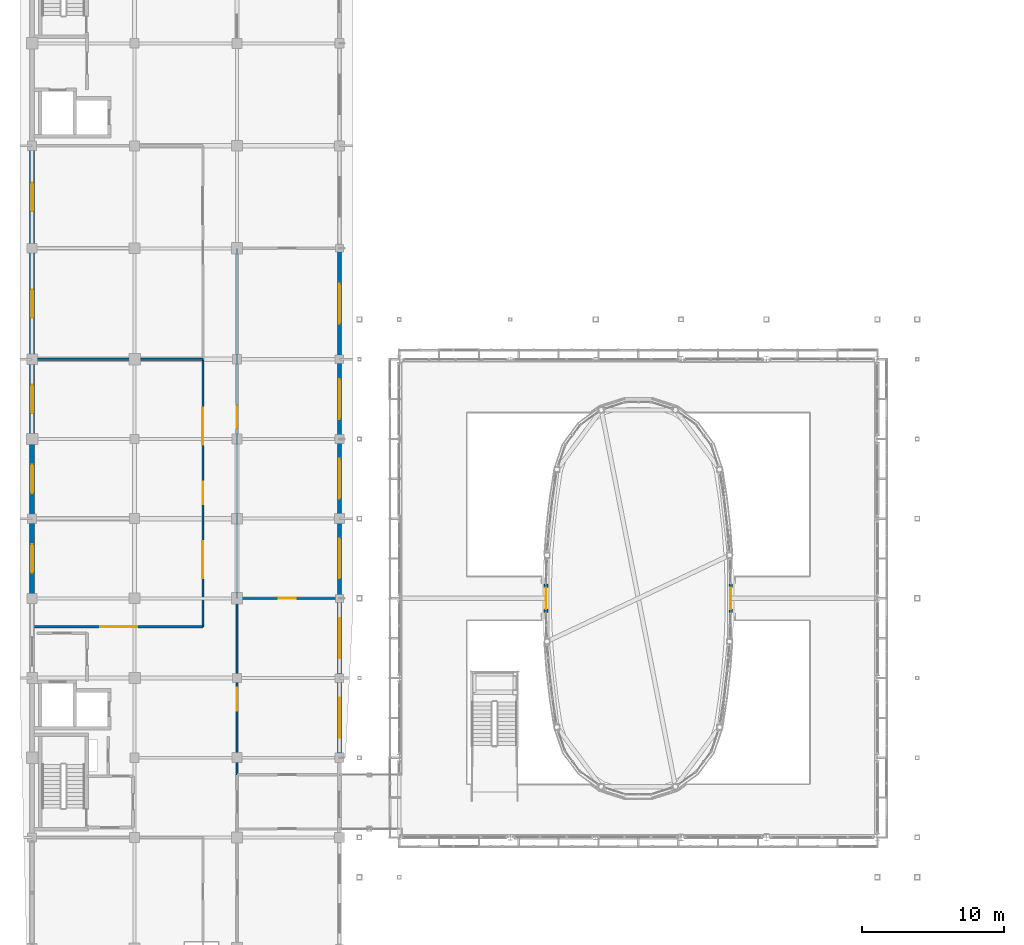
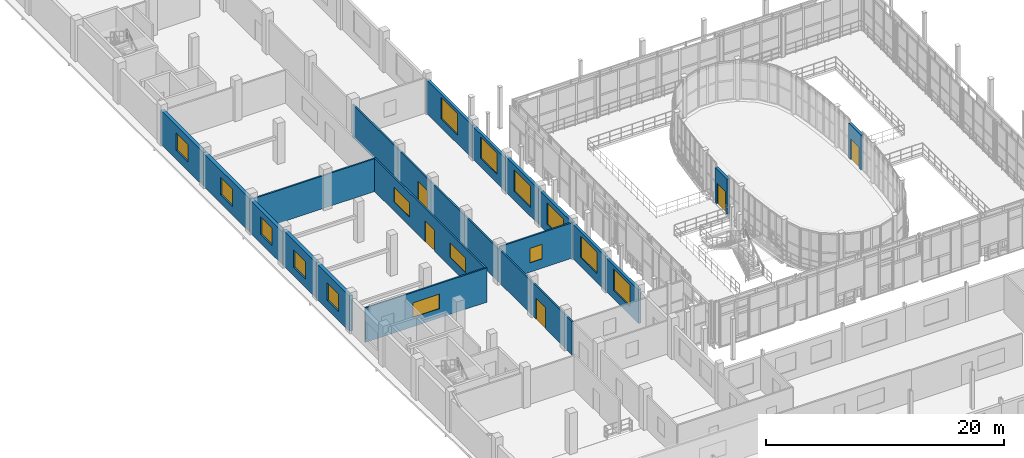
# One storey, part 95 of 121: 19 walls, 15 windows, 5 doors, 20 openings.
"""IFC4 building model written with IfcOpenShell, lengths in metres."""

from ifc_helpers import new_model, si_unit, direction, frame, frame_2d, origin, place, context, subcontext, project, spatial, rectangle, extrude, material, layer, layer_set, type_object, element, fill, save


model = new_model("IFC4")

# Units and contexts
model_context = context("Model", 3, precision=1e-05, world=origin(), true_north=direction((0.0, 1.0)))
body_context = subcontext(model_context, "Body", "Model", "MODEL_VIEW")
ifc_project = project(units=[si_unit("LENGTHUNIT", "METRE"), si_unit("AREAUNIT", "SQUARE_METRE"), si_unit("VOLUMEUNIT", "CUBIC_METRE"), si_unit("PLANEANGLEUNIT", "RADIAN"), si_unit("MASSUNIT", "GRAM", prefix="KILO")], contexts=[model_context])

# Site, building, storey
site_placement = place(None, origin())
site = spatial("IfcSite", under=ifc_project, at=site_placement, CompositionType="ELEMENT")
building_placement = place(site_placement, origin())
building = spatial("IfcBuilding", under=site, at=building_placement, Name="Vinh Khe Railworks Police Headquarters", CompositionType="ELEMENT")
storey_placement = place(building_placement, frame((0.0, 0.0, 4.800048828125)))
storey = spatial("IfcBuildingStorey", under=building, at=storey_placement, Name="L01", CompositionType="ELEMENT", Elevation=4.800048828125)

# Wall, opening, window
ifc_material_1 = material(Name="Clay brickwork", Category="masonry")
ifc_layer_1 = layer(ifc_material_1, 0.260009765625)
ifc_layer_set_1 = layer_set([ifc_layer_1], Name="Clay brickwork")
wall_type_1 = type_object("IfcWallType", Name="EW-BRK-260", PredefinedType="SOLIDWALL", material=ifc_layer_set_1)
wall_1_placement = place(storey_placement, frame((22.199951171875, 30.800048828125, 0.0), z_axis=(0.0, 0.0, 1.0), x_axis=(0.0, 1.0, 0.0)))
wall_1 = element("IfcWall", 1, at=wall_1_placement, inside=storey, type_object=wall_type_1, Name="Exterior Brick Wall EW-L01-V5E-03", PredefinedType="SOLIDWALL", context=body_context, shape_type="SweptSolid", body=[
    extrude(rectangle(XDim=5.599853515625, YDim=0.260009765625, at=frame_2d((2.7998046875, 0.0))), origin(), (0.0, 0.0, 1.0), 3.474853515625),
])
opening_1_placement = place(wall_1_placement, frame((1.39990234375, 0.0, 0.89990234375)))
opening_1 = element("IfcOpeningElement", 2, at=opening_1_placement, cuts=wall_1, Name="Opening WN-01", PredefinedType="OPENING", context=body_context, shape_type="SweptSolid", body=[
    extrude(rectangle(XDim=2.800048828125, YDim=2.199951171875, at=frame_2d((1.39990234375, 1.10009765625))), frame((0.0, 0.14501953125, 0.0), z_axis=(0.0, -1.0, 0.0), x_axis=(1.0, 0.0, 0.0)), (0.0, 0.0, 1.0), 0.289794921875),
])
ifc_material_2 = material(Name="Double-glazed solar-control glass in dark steel frame", Category="steel")
window_type_1 = type_object("IfcWindowType", Name="WIN-WN-01", PartitioningType="DOUBLE_PANEL_VERTICAL", PredefinedType="WINDOW", material=ifc_material_2)
window_1_placement = place(opening_1_placement, origin())
window_1 = element("IfcWindow", 3, at=window_1_placement, inside=storey, type_object=window_type_1, Name="Casement Window WN-01", OverallHeight=2.199951171875, OverallWidth=2.800048828125, PartitioningType="SINGLE_PANEL", PredefinedType="WINDOW", context=body_context, shape_type="SweptSolid", body=[
    extrude(rectangle(XDim=2.800048828125, YDim=2.199951171875, at=frame_2d((1.39990234375, 1.10009765625))), frame((0.0, 0.030029296875, 0.0), z_axis=(0.0, -1.0, 0.0), x_axis=(1.0, 0.0, 0.0)), (0.0, 0.0, 1.0), 0.06005859375),
])
fill(opening_1, window_1)

wall_2_placement = place(storey_placement, frame((22.199951171875, 36.39990234375, 0.0), z_axis=(0.0, 0.0, 1.0), x_axis=(0.0, 1.0, 0.0)))
wall_2 = element("IfcWall", 4, at=wall_2_placement, inside=storey, type_object=wall_type_1, Name="Exterior Brick Wall EW-L01-V5E-04", PredefinedType="SOLIDWALL", context=body_context, shape_type="SweptSolid", body=[
    extrude(rectangle(XDim=5.60009765625, YDim=0.260009765625, at=frame_2d((2.800048828125, 0.0))), origin(), (0.0, 0.0, 1.0), 3.52490234375),
])
opening_2_placement = place(wall_2_placement, frame((1.39990234375, 0.0, 0.89990234375)))
opening_2 = element("IfcOpeningElement", 5, at=opening_2_placement, cuts=wall_2, Name="Opening WN-01", PredefinedType="OPENING", context=body_context, shape_type="SweptSolid", body=[
    extrude(rectangle(XDim=2.800048828125, YDim=2.199951171875, at=frame_2d((1.39990234375, 1.10009765625))), frame((0.0, 0.14501953125, 0.0), z_axis=(0.0, -1.0, 0.0), x_axis=(1.0, 0.0, 0.0)), (0.0, 0.0, 1.0), 0.289794921875),
])
window_2_placement = place(opening_2_placement, origin())
window_2 = element("IfcWindow", 6, at=window_2_placement, inside=storey, type_object=window_type_1, Name="Casement Window WN-01", OverallHeight=2.199951171875, OverallWidth=2.800048828125, PartitioningType="SINGLE_PANEL", PredefinedType="WINDOW", context=body_context, shape_type="SweptSolid", body=[
    extrude(rectangle(XDim=2.800048828125, YDim=2.199951171875, at=frame_2d((1.39990234375, 1.10009765625))), frame((0.0, 0.030029296875, 0.0), z_axis=(0.0, -1.0, 0.0), x_axis=(1.0, 0.0, 0.0)), (0.0, 0.0, 1.0), 0.06005859375),
])
fill(opening_2, window_2)

wall_3_placement = place(storey_placement, frame((22.199951171875, 42.0, 0.0), z_axis=(0.0, 0.0, 1.0), x_axis=(0.0, 1.0, 0.0)))
wall_3 = element("IfcWall", 7, at=wall_3_placement, inside=storey, type_object=wall_type_1, Name="Exterior Brick Wall EW-L01-V5E-05", PredefinedType="SOLIDWALL", context=body_context, shape_type="SweptSolid", body=[
    extrude(rectangle(XDim=5.60009765625, YDim=0.260009765625, at=frame_2d((2.800048828125, 0.0))), origin(), (0.0, 0.0, 1.0), 3.625),
])
opening_3_placement = place(wall_3_placement, frame((1.39990234375, 0.0, 0.89990234375)))
opening_3 = element("IfcOpeningElement", 8, at=opening_3_placement, cuts=wall_3, Name="Opening WN-01", PredefinedType="OPENING", context=body_context, shape_type="SweptSolid", body=[
    extrude(rectangle(XDim=2.800048828125, YDim=2.199951171875, at=frame_2d((1.39990234375, 1.10009765625))), frame((0.0, 0.14501953125, 0.0), z_axis=(0.0, -1.0, 0.0), x_axis=(1.0, 0.0, 0.0)), (0.0, 0.0, 1.0), 0.289794921875),
])
window_3_placement = place(opening_3_placement, origin())
window_3 = element("IfcWindow", 9, at=window_3_placement, inside=storey, type_object=window_type_1, Name="Casement Window WN-01", OverallHeight=2.199951171875, OverallWidth=2.800048828125, PartitioningType="SINGLE_PANEL", PredefinedType="WINDOW", context=body_context, shape_type="SweptSolid", body=[
    extrude(rectangle(XDim=2.800048828125, YDim=2.199951171875, at=frame_2d((1.39990234375, 1.10009765625))), frame((0.0, 0.030029296875, 0.0), z_axis=(0.0, -1.0, 0.0), x_axis=(1.0, 0.0, 0.0)), (0.0, 0.0, 1.0), 0.06005859375),
])
fill(opening_3, window_3)

wall_4_placement = place(storey_placement, frame((22.199951171875, 47.60009765625, 0.0), z_axis=(0.0, 0.0, 1.0), x_axis=(0.0, 1.0, 0.0)))
wall_4 = element("IfcWall", 10, at=wall_4_placement, inside=storey, type_object=wall_type_1, Name="Exterior Brick Wall EW-L01-V5E-06", PredefinedType="SOLIDWALL", context=body_context, shape_type="SweptSolid", body=[
    extrude(rectangle(XDim=5.599853515625, YDim=0.260009765625, at=frame_2d((2.7998046875, 0.0))), origin(), (0.0, 0.0, 1.0), 3.64501953125),
])
opening_4_placement = place(wall_4_placement, frame((1.39990234375, 0.0, 0.89990234375)))
opening_4 = element("IfcOpeningElement", 11, at=opening_4_placement, cuts=wall_4, Name="Opening WN-01", PredefinedType="OPENING", context=body_context, shape_type="SweptSolid", body=[
    extrude(rectangle(XDim=2.800048828125, YDim=2.199951171875, at=frame_2d((1.39990234375, 1.10009765625))), frame((0.0, 0.14501953125, 0.0), z_axis=(0.0, -1.0, 0.0), x_axis=(1.0, 0.0, 0.0)), (0.0, 0.0, 1.0), 0.289794921875),
])
window_4_placement = place(opening_4_placement, origin())
window_4 = element("IfcWindow", 12, at=window_4_placement, inside=storey, type_object=window_type_1, Name="Casement Window WN-01", OverallHeight=2.199951171875, OverallWidth=2.800048828125, PartitioningType="SINGLE_PANEL", PredefinedType="WINDOW", context=body_context, shape_type="SweptSolid", body=[
    extrude(rectangle(XDim=2.800048828125, YDim=2.199951171875, at=frame_2d((1.39990234375, 1.10009765625))), frame((0.0, 0.030029296875, 0.0), z_axis=(0.0, -1.0, 0.0), x_axis=(1.0, 0.0, 0.0)), (0.0, 0.0, 1.0), 0.06005859375),
])
fill(opening_4, window_4)

wall_5_placement = place(storey_placement, frame((22.199951171875, 53.199951171875, 0.0), z_axis=(0.0, 0.0, 1.0), x_axis=(0.0, 1.0, 0.0)))
wall_5 = element("IfcWall", 13, at=wall_5_placement, inside=storey, type_object=wall_type_1, Name="Exterior Brick Wall EW-L01-V5E-07", PredefinedType="SOLIDWALL", context=body_context, shape_type="SweptSolid", body=[
    extrude(rectangle(XDim=5.60009765625, YDim=0.260009765625, at=frame_2d((2.800048828125, 0.0))), origin(), (0.0, 0.0, 1.0), 3.375),
])
opening_5_placement = place(wall_5_placement, frame((1.39990234375, 0.0, 0.89990234375)))
opening_5 = element("IfcOpeningElement", 14, at=opening_5_placement, cuts=wall_5, Name="Opening WN-01", PredefinedType="OPENING", context=body_context, shape_type="SweptSolid", body=[
    extrude(rectangle(XDim=2.800048828125, YDim=2.199951171875, at=frame_2d((1.39990234375, 1.10009765625))), frame((0.0, 0.14501953125, 0.0), z_axis=(0.0, -1.0, 0.0), x_axis=(1.0, 0.0, 0.0)), (0.0, 0.0, 1.0), 0.289794921875),
])
window_5_placement = place(opening_5_placement, origin())
window_5 = element("IfcWindow", 15, at=window_5_placement, inside=storey, type_object=window_type_1, Name="Casement Window WN-01", OverallHeight=2.199951171875, OverallWidth=2.800048828125, PartitioningType="SINGLE_PANEL", PredefinedType="WINDOW", context=body_context, shape_type="SweptSolid", body=[
    extrude(rectangle(XDim=2.800048828125, YDim=2.199951171875, at=frame_2d((1.39990234375, 1.10009765625))), frame((0.0, 0.030029296875, 0.0), z_axis=(0.0, -1.0, 0.0), x_axis=(1.0, 0.0, 0.0)), (0.0, 0.0, 1.0), 0.06005859375),
])
fill(opening_5, window_5)

wall_6_placement = place(storey_placement, frame((22.199951171875, 58.800048828125, 0.0), z_axis=(0.0, 0.0, 1.0), x_axis=(0.0, 1.0, 0.0)))
wall_6 = element("IfcWall", 16, at=wall_6_placement, inside=storey, type_object=wall_type_1, Name="Exterior Brick Wall EW-L01-V5E-08", PredefinedType="SOLIDWALL", context=body_context, shape_type="SweptSolid", body=[
    extrude(rectangle(XDim=7.800048828125, YDim=0.260009765625, at=frame_2d((3.89990234375, 0.0))), origin(), (0.0, 0.0, 1.0), 3.425048828125),
])
opening_6_placement = place(wall_6_placement, frame((2.5, 0.0, 0.89990234375)))
opening_6 = element("IfcOpeningElement", 17, at=opening_6_placement, cuts=wall_6, Name="Opening WN-01", PredefinedType="OPENING", context=body_context, shape_type="SweptSolid", body=[
    extrude(rectangle(XDim=2.800048828125, YDim=2.199951171875, at=frame_2d((1.39990234375, 1.10009765625))), frame((0.0, 0.14501953125, 0.0), z_axis=(0.0, -1.0, 0.0), x_axis=(1.0, 0.0, 0.0)), (0.0, 0.0, 1.0), 0.289794921875),
])
window_6_placement = place(opening_6_placement, origin())
window_6 = element("IfcWindow", 18, at=window_6_placement, inside=storey, type_object=window_type_1, Name="Casement Window WN-01", OverallHeight=2.199951171875, OverallWidth=2.800048828125, PartitioningType="SINGLE_PANEL", PredefinedType="WINDOW", context=body_context, shape_type="SweptSolid", body=[
    extrude(rectangle(XDim=2.800048828125, YDim=2.199951171875, at=frame_2d((1.39990234375, 1.10009765625))), frame((0.0, 0.030029296875, 0.0), z_axis=(0.0, -1.0, 0.0), x_axis=(1.0, 0.0, 0.0)), (0.0, 0.0, 1.0), 0.06005859375),
])
fill(opening_6, window_6)

# Wall, opening, door
wall_7_placement = place(storey_placement, frame((49.690185546875, 40.98876953125, 0.0), z_axis=(0.0, 0.0, 1.0), x_axis=(0.0, 1.0, 0.0)))
wall_7 = element("IfcWall", 19, at=wall_7_placement, inside=storey, type_object=wall_type_1, Name="Command Drum Portal Wall L01 C04", PredefinedType="SOLIDWALL", context=body_context, shape_type="SweptSolid", body=[
    extrude(rectangle(XDim=2.0224609375, YDim=0.260009765625, at=frame_2d((1.01123046875, 0.0))), origin(), (0.0, 0.0, 1.0), 3.5849609375),
])
opening_7_placement = place(wall_7_placement, frame((0.26123046875, 0.0, 0.0)))
opening_7 = element("IfcOpeningElement", 20, at=opening_7_placement, cuts=wall_7, Name="Opening FD-02", PredefinedType="OPENING", context=body_context, shape_type="SweptSolid", body=[
    extrude(rectangle(XDim=1.5, YDim=2.14990234375, at=frame_2d((0.75, 1.074951171875))), frame((0.0, 0.14501953125, 0.0), z_axis=(0.0, -1.0, 0.0), x_axis=(1.0, 0.0, 0.0)), (0.0, 0.0, 1.0), 0.289794921875),
])
ifc_material_3 = material(Name="Painted galvanised steel", Category="steel")
door_type_1 = type_object("IfcDoorType", Name="FD-1500x2150", OperationType="DOUBLE_DOOR_SINGLE_SWING", PredefinedType="DOOR", material=ifc_material_3)
door_1_placement = place(opening_7_placement, origin())
door_1 = element("IfcDoor", 21, at=door_1_placement, inside=storey, type_object=door_type_1, Name="Command Drum Acoustic Portal Door L01 C04", OperationType="DOUBLE_DOOR_SINGLE_SWING", OverallHeight=2.14990234375, OverallWidth=1.5, PredefinedType="DOOR", context=body_context, shape_type="SweptSolid", body=[
    extrude(rectangle(XDim=1.5, YDim=2.14990234375, at=frame_2d((0.75, 1.074951171875))), frame((0.0, 0.02490234375, 0.0), z_axis=(0.0, -1.0, 0.0), x_axis=(1.0, 0.0, 0.0)), (0.0, 0.0, 1.0), 0.050048828125),
])
fill(opening_7, door_1)

wall_8_placement = place(storey_placement, frame((36.709716796875, 43.01123046875, 0.0), z_axis=(0.0, 0.0, 1.0), x_axis=(0.0, -1.0, 0.0)))
wall_8 = element("IfcWall", 22, at=wall_8_placement, inside=storey, type_object=wall_type_1, Name="Command Drum Portal Wall L01 C22", PredefinedType="SOLIDWALL", context=body_context, shape_type="SweptSolid", body=[
    extrude(rectangle(XDim=2.0224609375, YDim=0.260009765625, at=frame_2d((1.01123046875, 0.0))), origin(), (0.0, 0.0, 1.0), 3.5849609375),
])
opening_8_placement = place(wall_8_placement, frame((0.26123046875, 0.0, 0.0)))
opening_8 = element("IfcOpeningElement", 23, at=opening_8_placement, cuts=wall_8, Name="Opening FD-02", PredefinedType="OPENING", context=body_context, shape_type="SweptSolid", body=[
    extrude(rectangle(XDim=1.5, YDim=2.14990234375, at=frame_2d((0.75, 1.074951171875))), frame((0.0, 0.14501953125, 0.0), z_axis=(0.0, -1.0, 0.0), x_axis=(1.0, 0.0, 0.0)), (0.0, 0.0, 1.0), 0.289794921875),
])
door_2_placement = place(opening_8_placement, origin())
door_2 = element("IfcDoor", 24, at=door_2_placement, inside=storey, type_object=door_type_1, Name="Command Drum Acoustic Portal Door L01 C22", OperationType="DOUBLE_DOOR_SINGLE_SWING", OverallHeight=2.14990234375, OverallWidth=1.5, PredefinedType="DOOR", context=body_context, shape_type="SweptSolid", body=[
    extrude(rectangle(XDim=1.5, YDim=2.14990234375, at=frame_2d((0.75, 1.074951171875))), frame((0.0, 0.02490234375, 0.0), z_axis=(0.0, -1.0, 0.0), x_axis=(1.0, 0.0, 0.0)), (0.0, 0.0, 1.0), 0.050048828125),
])
fill(opening_8, door_2)

# Wall, opening, window
ifc_layer_2 = layer(ifc_material_1, 0.340087890625)
ifc_layer_set_2 = layer_set([ifc_layer_2], Name="Clay brickwork")
wall_type_2 = type_object("IfcWallType", Name="EW-BRK-340", PredefinedType="SOLIDWALL", material=ifc_layer_set_2)
wall_9_placement = place(storey_placement, frame((0.60009765625, 42.0, 0.0), z_axis=(0.0, 0.0, 1.0), x_axis=(0.0, 1.0, 0.0)))
wall_9 = element("IfcWall", 25, at=wall_9_placement, inside=storey, type_object=wall_type_2, Name="Exterior Brick Wall EW-L01-V5W-05", PredefinedType="SOLIDWALL", context=body_context, shape_type="SweptSolid", body=[
    extrude(rectangle(XDim=5.60009765625, YDim=0.340087890625, at=frame_2d((2.800048828125, 0.0))), origin(), (0.0, 0.0, 1.0), 3.625),
])
opening_9_placement = place(wall_9_placement, frame((1.800048828125, 0.0, 0.89990234375)))
opening_9 = element("IfcOpeningElement", 26, at=opening_9_placement, cuts=wall_9, Name="Opening WN-04", PredefinedType="OPENING", context=body_context, shape_type="SweptSolid", body=[
    extrude(rectangle(XDim=2.0, YDim=1.800048828125, at=frame_2d((1.0, 0.89990234375))), frame((0.0, 0.18505859375, 0.0), z_axis=(0.0, -1.0, 0.0), x_axis=(1.0, 0.0, 0.0)), (0.0, 0.0, 1.0), 0.369873046875),
])
window_type_2 = type_object("IfcWindowType", Name="WIN-WN-04", PartitioningType="DOUBLE_PANEL_VERTICAL", PredefinedType="WINDOW", material=ifc_material_2)
window_7_placement = place(opening_9_placement, origin())
window_7 = element("IfcWindow", 27, at=window_7_placement, inside=storey, type_object=window_type_2, Name="Casement Window WN-04", OverallHeight=1.800048828125, OverallWidth=2.0, PartitioningType="SINGLE_PANEL", PredefinedType="WINDOW", context=body_context, shape_type="SweptSolid", body=[
    extrude(rectangle(XDim=2.0, YDim=1.800048828125, at=frame_2d((1.0, 0.89990234375))), frame((0.0, 0.030029296875, 0.0), z_axis=(0.0, -1.0, 0.0), x_axis=(1.0, 0.0, 0.0)), (0.0, 0.0, 1.0), 0.06005859375),
])
fill(opening_9, window_7)

wall_10_placement = place(storey_placement, frame((0.60009765625, 47.60009765625, 0.0), z_axis=(0.0, 0.0, 1.0), x_axis=(0.0, 1.0, 0.0)))
wall_10 = element("IfcWall", 28, at=wall_10_placement, inside=storey, type_object=wall_type_2, Name="Exterior Brick Wall EW-L01-V5W-06", PredefinedType="SOLIDWALL", context=body_context, shape_type="SweptSolid", body=[
    extrude(rectangle(XDim=5.599853515625, YDim=0.340087890625, at=frame_2d((2.7998046875, 0.0))), origin(), (0.0, 0.0, 1.0), 3.64501953125),
])
opening_10_placement = place(wall_10_placement, frame((1.800048828125, 0.0, 0.89990234375)))
opening_10 = element("IfcOpeningElement", 29, at=opening_10_placement, cuts=wall_10, Name="Opening WN-04", PredefinedType="OPENING", context=body_context, shape_type="SweptSolid", body=[
    extrude(rectangle(XDim=2.0, YDim=1.800048828125, at=frame_2d((1.0, 0.89990234375))), frame((0.0, 0.18505859375, 0.0), z_axis=(0.0, -1.0, 0.0), x_axis=(1.0, 0.0, 0.0)), (0.0, 0.0, 1.0), 0.369873046875),
])
window_8_placement = place(opening_10_placement, origin())
window_8 = element("IfcWindow", 30, at=window_8_placement, inside=storey, type_object=window_type_2, Name="Casement Window WN-04", OverallHeight=1.800048828125, OverallWidth=2.0, PartitioningType="SINGLE_PANEL", PredefinedType="WINDOW", context=body_context, shape_type="SweptSolid", body=[
    extrude(rectangle(XDim=2.0, YDim=1.800048828125, at=frame_2d((1.0, 0.89990234375))), frame((0.0, 0.030029296875, 0.0), z_axis=(0.0, -1.0, 0.0), x_axis=(1.0, 0.0, 0.0)), (0.0, 0.0, 1.0), 0.06005859375),
])
fill(opening_10, window_8)

wall_11_placement = place(storey_placement, frame((0.60009765625, 53.199951171875, 0.0), z_axis=(0.0, 0.0, 1.0), x_axis=(0.0, 1.0, 0.0)))
wall_11 = element("IfcWall", 31, at=wall_11_placement, inside=storey, type_object=wall_type_2, Name="Exterior Brick Wall EW-L01-V5W-07", PredefinedType="SOLIDWALL", context=body_context, shape_type="SweptSolid", body=[
    extrude(rectangle(XDim=5.60009765625, YDim=0.340087890625, at=frame_2d((2.800048828125, 0.0))), origin(), (0.0, 0.0, 1.0), 3.375),
])
opening_11_placement = place(wall_11_placement, frame((1.800048828125, 0.0, 0.89990234375)))
opening_11 = element("IfcOpeningElement", 32, at=opening_11_placement, cuts=wall_11, Name="Opening WN-04", PredefinedType="OPENING", context=body_context, shape_type="SweptSolid", body=[
    extrude(rectangle(XDim=2.0, YDim=1.800048828125, at=frame_2d((1.0, 0.89990234375))), frame((0.0, 0.18505859375, 0.0), z_axis=(0.0, -1.0, 0.0), x_axis=(1.0, 0.0, 0.0)), (0.0, 0.0, 1.0), 0.369873046875),
])
window_9_placement = place(opening_11_placement, origin())
window_9 = element("IfcWindow", 33, at=window_9_placement, inside=storey, type_object=window_type_2, Name="Casement Window WN-04", OverallHeight=1.800048828125, OverallWidth=2.0, PartitioningType="SINGLE_PANEL", PredefinedType="WINDOW", context=body_context, shape_type="SweptSolid", body=[
    extrude(rectangle(XDim=2.0, YDim=1.800048828125, at=frame_2d((1.0, 0.89990234375))), frame((0.0, 0.030029296875, 0.0), z_axis=(0.0, -1.0, 0.0), x_axis=(1.0, 0.0, 0.0)), (0.0, 0.0, 1.0), 0.06005859375),
])
fill(opening_11, window_9)

wall_12_placement = place(storey_placement, frame((0.60009765625, 58.800048828125, 0.0), z_axis=(0.0, 0.0, 1.0), x_axis=(0.0, 1.0, 0.0)))
wall_12 = element("IfcWall", 34, at=wall_12_placement, inside=storey, type_object=wall_type_2, Name="Exterior Brick Wall EW-L01-V5W-08", PredefinedType="SOLIDWALL", context=body_context, shape_type="SweptSolid", body=[
    extrude(rectangle(XDim=7.800048828125, YDim=0.340087890625, at=frame_2d((3.89990234375, 0.0))), origin(), (0.0, 0.0, 1.0), 3.425048828125),
])
opening_12_placement = place(wall_12_placement, frame((2.89990234375, 0.0, 0.89990234375)))
opening_12 = element("IfcOpeningElement", 35, at=opening_12_placement, cuts=wall_12, Name="Opening WN-04", PredefinedType="OPENING", context=body_context, shape_type="SweptSolid", body=[
    extrude(rectangle(XDim=2.0, YDim=1.800048828125, at=frame_2d((1.0, 0.89990234375))), frame((0.0, 0.18505859375, 0.0), z_axis=(0.0, -1.0, 0.0), x_axis=(1.0, 0.0, 0.0)), (0.0, 0.0, 1.0), 0.369873046875),
])
window_10_placement = place(opening_12_placement, origin())
window_10 = element("IfcWindow", 36, at=window_10_placement, inside=storey, type_object=window_type_2, Name="Casement Window WN-04", OverallHeight=1.800048828125, OverallWidth=2.0, PartitioningType="SINGLE_PANEL", PredefinedType="WINDOW", context=body_context, shape_type="SweptSolid", body=[
    extrude(rectangle(XDim=2.0, YDim=1.800048828125, at=frame_2d((1.0, 0.89990234375))), frame((0.0, 0.030029296875, 0.0), z_axis=(0.0, -1.0, 0.0), x_axis=(1.0, 0.0, 0.0)), (0.0, 0.0, 1.0), 0.06005859375),
])
fill(opening_12, window_10)

wall_13_placement = place(storey_placement, frame((0.60009765625, 66.60009765625, 0.0), z_axis=(0.0, 0.0, 1.0), x_axis=(0.0, 1.0, 0.0)))
wall_13 = element("IfcWall", 37, at=wall_13_placement, inside=storey, type_object=wall_type_2, Name="Exterior Brick Wall EW-L01-V5W-09", PredefinedType="SOLIDWALL", context=body_context, shape_type="SweptSolid", body=[
    extrude(rectangle(XDim=7.199951171875, YDim=0.340087890625, at=frame_2d((3.60009765625, 0.0))), origin(), (0.0, 0.0, 1.0), 3.474853515625),
])
opening_13_placement = place(wall_13_placement, frame((2.60009765625, 0.0, 0.89990234375)))
opening_13 = element("IfcOpeningElement", 38, at=opening_13_placement, cuts=wall_13, Name="Opening WN-04", PredefinedType="OPENING", context=body_context, shape_type="SweptSolid", body=[
    extrude(rectangle(XDim=2.0, YDim=1.800048828125, at=frame_2d((1.0, 0.89990234375))), frame((0.0, 0.18505859375, 0.0), z_axis=(0.0, -1.0, 0.0), x_axis=(1.0, 0.0, 0.0)), (0.0, 0.0, 1.0), 0.369873046875),
])
window_11_placement = place(opening_13_placement, origin())
window_11 = element("IfcWindow", 39, at=window_11_placement, inside=storey, type_object=window_type_2, Name="Casement Window WN-04", OverallHeight=1.800048828125, OverallWidth=2.0, PartitioningType="SINGLE_PANEL", PredefinedType="WINDOW", context=body_context, shape_type="SweptSolid", body=[
    extrude(rectangle(XDim=2.0, YDim=1.800048828125, at=frame_2d((1.0, 0.89990234375))), frame((0.0, 0.030029296875, 0.0), z_axis=(0.0, -1.0, 0.0), x_axis=(1.0, 0.0, 0.0)), (0.0, 0.0, 1.0), 0.06005859375),
])
fill(opening_13, window_11)

ifc_material_4 = material(Name="Gypsum plasterboard on steel stud", Category="steel")
ifc_layer_3 = layer(ifc_material_4, 0.1201171875)
ifc_layer_set_3 = layer_set([ifc_layer_3], Name="Gypsum plasterboard on steel stud")
wall_type_3 = type_object("IfcWallType", Name="IW-PART-120", PredefinedType="PARTITIONING", material=ifc_layer_set_3)
wall_14_placement = place(storey_placement, frame((0.780029296875, 40.0, 0.0), z_axis=(0.0, 0.0, 1.0), x_axis=(1.0, 0.0, 0.0)))
wall_14 = element("IfcWall", 40, at=wall_14_placement, inside=storey, type_object=wall_type_3, Name="Interior Partition W-L01-V5-CID1-DIV", PredefinedType="PARTITIONING", context=body_context, shape_type="SweptSolid", body=[
    extrude(rectangle(XDim=11.820068359375, YDim=0.14990234375, at=frame_2d((5.91015625, 0.0))), origin(), (0.0, 0.0, 1.0), 3.52490234375),
])
opening_14_placement = place(wall_14_placement, frame((4.610107421875, 0.0, 0.949951171875)))
opening_14 = element("IfcOpeningElement", 41, at=opening_14_placement, cuts=wall_14, Name="Opening WN-07", PredefinedType="OPENING", context=body_context, shape_type="SweptSolid", body=[
    extrude(rectangle(XDim=2.60009765625, YDim=1.5, at=frame_2d((1.300048828125, 0.75))), frame((0.0, 0.08984375, 0.0), z_axis=(0.0, -1.0, 0.0), x_axis=(1.0, 0.0, 0.0)), (0.0, 0.0, 1.0), 0.1796875),
])
window_type_3 = type_object("IfcWindowType", Name="WIN-WN-07", PartitioningType="DOUBLE_PANEL_HORIZONTAL", PredefinedType="WINDOW", material=ifc_material_2)
window_12_placement = place(opening_14_placement, origin())
window_12 = element("IfcWindow", 42, at=window_12_placement, inside=storey, type_object=window_type_3, Name="Interior Acoustic Vision Window WN-07", OverallHeight=1.5, OverallWidth=2.60009765625, PartitioningType="SINGLE_PANEL", PredefinedType="WINDOW", context=body_context, shape_type="SweptSolid", body=[
    extrude(rectangle(XDim=2.60009765625, YDim=1.5, at=frame_2d((1.300048828125, 0.75))), frame((0.0, 0.030029296875, 0.0), z_axis=(0.0, -1.0, 0.0), x_axis=(1.0, 0.0, 0.0)), (0.0, 0.0, 1.0), 0.06005859375),
])
fill(opening_14, window_12)

# Wall
wall_15_placement = place(storey_placement, frame((0.780029296875, 58.800048828125, 0.0), z_axis=(0.0, 0.0, 1.0), x_axis=(1.0, 0.0, 0.0)))
element("IfcWall", 43, at=wall_15_placement, inside=storey, type_object=wall_type_3, Name="Interior Partition W-L01-V5-CID2-DIV", PredefinedType="PARTITIONING", context=body_context, shape_type="SweptSolid", body=[
    extrude(rectangle(XDim=11.820068359375, YDim=0.14990234375, at=frame_2d((5.91015625, 0.0))), origin(), (0.0, 0.0, 1.0), 3.375),
])

# Wall, opening, window
wall_16_placement = place(storey_placement, frame((15.0, 42.0, 0.0), z_axis=(0.0, 0.0, 1.0), x_axis=(1.0, 0.0, 0.0)))
wall_16 = element("IfcWall", 44, at=wall_16_placement, inside=storey, type_object=wall_type_3, Name="Interior Partition W-L01-V5-DET2-DIV", PredefinedType="PARTITIONING", context=body_context, shape_type="SweptSolid", body=[
    extrude(rectangle(XDim=7.06005859375, YDim=0.14990234375, at=frame_2d((3.530029296875, 0.0))), origin(), (0.0, 0.0, 1.0), 3.64501953125),
])
opening_15_placement = place(wall_16_placement, frame((2.929931640625, 0.0, 0.949951171875)))
opening_15 = element("IfcOpeningElement", 45, at=opening_15_placement, cuts=wall_16, Name="Opening WN-10", PredefinedType="OPENING", context=body_context, shape_type="SweptSolid", body=[
    extrude(rectangle(XDim=1.199951171875, YDim=1.5, at=frame_2d((0.60009765625, 0.75))), frame((0.0, 0.08984375, 0.0), z_axis=(0.0, -1.0, 0.0), x_axis=(1.0, 0.0, 0.0)), (0.0, 0.0, 1.0), 0.1796875),
])
window_type_4 = type_object("IfcWindowType", Name="WIN-WN-10", PartitioningType="SINGLE_PANEL", PredefinedType="WINDOW", material=ifc_material_2)
window_13_placement = place(opening_15_placement, origin())
window_13 = element("IfcWindow", 46, at=window_13_placement, inside=storey, type_object=window_type_4, Name="Interior Acoustic Vision Window WN-10", OverallHeight=1.5, OverallWidth=1.199951171875, PartitioningType="SINGLE_PANEL", PredefinedType="WINDOW", context=body_context, shape_type="SweptSolid", body=[
    extrude(rectangle(XDim=1.199951171875, YDim=1.5, at=frame_2d((0.60009765625, 0.75))), frame((0.0, 0.030029296875, 0.0), z_axis=(0.0, -1.0, 0.0), x_axis=(1.0, 0.0, 0.0)), (0.0, 0.0, 1.0), 0.06005859375),
])
fill(opening_15, window_13)

# Wall, openings, door, windows
ifc_material_5 = material(Name="Gypsum plasterboard on acoustic steel stud", Category="steel")
ifc_layer_4 = layer(ifc_material_5, 0.14990234375)
ifc_layer_set_4 = layer_set([ifc_layer_4], Name="Gypsum plasterboard on acoustic steel stud")
wall_type_4 = type_object("IfcWallType", Name="IW-PART-150", PredefinedType="PARTITIONING", material=ifc_layer_set_4)
wall_17_placement = place(storey_placement, frame((12.60009765625, 40.0, 0.0), z_axis=(0.0, 0.0, 1.0), x_axis=(0.0, 1.0, 0.0)))
wall_17 = element("IfcWall", 47, at=wall_17_placement, inside=storey, type_object=wall_type_4, Name="Interior Partition W-L01-V5-CID1-CW", PredefinedType="PARTITIONING", context=body_context, shape_type="SweptSolid", body=[
    extrude(rectangle(XDim=18.800048828125, YDim=0.14990234375, at=frame_2d((9.39990234375, 0.0))), origin(), (0.0, 0.0, 1.0), 3.425048828125),
])
opening_16_placement = place(wall_17_placement, frame((8.60009765625, 0.0, 0.0)))
opening_16 = element("IfcOpeningElement", 48, at=opening_16_placement, cuts=wall_17, Name="Opening D-03", PredefinedType="OPENING", context=body_context, shape_type="SweptSolid", body=[
    extrude(rectangle(XDim=1.60009765625, YDim=2.14990234375, at=frame_2d((0.800048828125, 1.074951171875))), frame((0.0, 0.08984375, 0.0), z_axis=(0.0, -1.0, 0.0), x_axis=(1.0, 0.0, 0.0)), (0.0, 0.0, 1.0), 0.1796875),
])
opening_17_placement = place(wall_17_placement, frame((3.39990234375, 0.0, 0.949951171875)))
opening_17 = element("IfcOpeningElement", 49, at=opening_17_placement, cuts=wall_17, Name="Opening WN-07", PredefinedType="OPENING", context=body_context, shape_type="SweptSolid", body=[
    extrude(rectangle(XDim=2.60009765625, YDim=1.5, at=frame_2d((1.300048828125, 0.75))), frame((0.0, 0.08984375, 0.0), z_axis=(0.0, -1.0, 0.0), x_axis=(1.0, 0.0, 0.0)), (0.0, 0.0, 1.0), 0.1796875),
])
opening_18_placement = place(wall_17_placement, frame((12.800048828125, 0.0, 0.949951171875)))
opening_18 = element("IfcOpeningElement", 50, at=opening_18_placement, cuts=wall_17, Name="Opening WN-07", PredefinedType="OPENING", context=body_context, shape_type="SweptSolid", body=[
    extrude(rectangle(XDim=2.60009765625, YDim=1.5, at=frame_2d((1.300048828125, 0.75))), frame((0.0, 0.08984375, 0.0), z_axis=(0.0, -1.0, 0.0), x_axis=(1.0, 0.0, 0.0)), (0.0, 0.0, 1.0), 0.1796875),
])
door_type_2 = type_object("IfcDoorType", Name="ID-1600x2150", OperationType="DOUBLE_DOOR_SINGLE_SWING", PredefinedType="DOOR", material=ifc_material_3)
door_3_placement = place(opening_16_placement, origin())
door_3 = element("IfcDoor", 51, at=door_3_placement, inside=storey, type_object=door_type_2, Name="General Criminal Investigation Office 1 Door", OperationType="DOUBLE_DOOR_SINGLE_SWING", OverallHeight=2.14990234375, OverallWidth=1.60009765625, PredefinedType="DOOR", context=body_context, shape_type="SweptSolid", body=[
    extrude(rectangle(XDim=1.60009765625, YDim=2.14990234375, at=frame_2d((0.800048828125, 1.074951171875))), frame((0.0, 0.02490234375, 0.0), z_axis=(0.0, -1.0, 0.0), x_axis=(1.0, 0.0, 0.0)), (0.0, 0.0, 1.0), 0.050048828125),
])
fill(opening_16, door_3)
window_14_placement = place(opening_17_placement, origin())
window_14 = element("IfcWindow", 52, at=window_14_placement, inside=storey, type_object=window_type_3, Name="Interior Acoustic Vision Window WN-07", OverallHeight=1.5, OverallWidth=2.60009765625, PartitioningType="SINGLE_PANEL", PredefinedType="WINDOW", context=body_context, shape_type="SweptSolid", body=[
    extrude(rectangle(XDim=2.60009765625, YDim=1.5, at=frame_2d((1.300048828125, 0.75))), frame((0.0, 0.030029296875, 0.0), z_axis=(0.0, -1.0, 0.0), x_axis=(1.0, 0.0, 0.0)), (0.0, 0.0, 1.0), 0.06005859375),
])
fill(opening_17, window_14)
window_15_placement = place(opening_18_placement, origin())
window_15 = element("IfcWindow", 53, at=window_15_placement, inside=storey, type_object=window_type_3, Name="Interior Acoustic Vision Window WN-07", OverallHeight=1.5, OverallWidth=2.60009765625, PartitioningType="SINGLE_PANEL", PredefinedType="WINDOW", context=body_context, shape_type="SweptSolid", body=[
    extrude(rectangle(XDim=2.60009765625, YDim=1.5, at=frame_2d((1.300048828125, 0.75))), frame((0.0, 0.030029296875, 0.0), z_axis=(0.0, -1.0, 0.0), x_axis=(1.0, 0.0, 0.0)), (0.0, 0.0, 1.0), 0.06005859375),
])
fill(opening_18, window_15)

# Wall, opening, door
wall_18_placement = place(storey_placement, frame((15.0, 29.60009765625, 0.0), z_axis=(0.0, 0.0, 1.0), x_axis=(0.0, 1.0, 0.0)))
wall_18 = element("IfcWall", 54, at=wall_18_placement, inside=storey, type_object=wall_type_4, Name="Interior Partition W-L01-V5-DET1-CE", PredefinedType="PARTITIONING", context=body_context, shape_type="SweptSolid", body=[
    extrude(rectangle(XDim=12.39990234375, YDim=0.14990234375, at=frame_2d((6.199951171875, 0.0))), origin(), (0.0, 0.0, 1.0), 3.425048828125),
])
opening_19_placement = place(wall_18_placement, frame((4.5, 0.0, 0.0)))
opening_19 = element("IfcOpeningElement", 55, at=opening_19_placement, cuts=wall_18, Name="Opening D-03", PredefinedType="OPENING", context=body_context, shape_type="SweptSolid", body=[
    extrude(rectangle(XDim=1.60009765625, YDim=2.14990234375, at=frame_2d((0.800048828125, 1.074951171875))), frame((0.0, 0.08984375, 0.0), z_axis=(0.0, -1.0, 0.0), x_axis=(1.0, 0.0, 0.0)), (0.0, 0.0, 1.0), 0.1796875),
])
door_4_placement = place(opening_19_placement, origin())
door_4 = element("IfcDoor", 56, at=door_4_placement, inside=storey, type_object=door_type_2, Name="Detective Squad Workroom South B Door", OperationType="DOUBLE_DOOR_SINGLE_SWING", OverallHeight=2.14990234375, OverallWidth=1.60009765625, PredefinedType="DOOR", context=body_context, shape_type="SweptSolid", body=[
    extrude(rectangle(XDim=1.60009765625, YDim=2.14990234375, at=frame_2d((0.800048828125, 1.074951171875))), frame((0.0, 0.02490234375, 0.0), z_axis=(0.0, -1.0, 0.0), x_axis=(1.0, 0.0, 0.0)), (0.0, 0.0, 1.0), 0.050048828125),
])
fill(opening_19, door_4)

wall_19_placement = place(storey_placement, frame((15.0, 42.0, 0.0), z_axis=(0.0, 0.0, 1.0), x_axis=(0.0, 1.0, 0.0)))
wall_19 = element("IfcWall", 57, at=wall_19_placement, inside=storey, type_object=wall_type_4, Name="Interior Partition W-L01-V5-DET2-CE", PredefinedType="PARTITIONING", context=body_context, shape_type="SweptSolid", body=[
    extrude(rectangle(XDim=24.60009765625, YDim=0.14990234375, at=frame_2d((12.300048828125, 0.0))), origin(), (0.0, 0.0, 1.0), 3.375),
])
opening_20_placement = place(wall_19_placement, frame((11.949951171875, 0.0, 0.0)))
opening_20 = element("IfcOpeningElement", 58, at=opening_20_placement, cuts=wall_19, Name="Opening D-03", PredefinedType="OPENING", context=body_context, shape_type="SweptSolid", body=[
    extrude(rectangle(XDim=1.60009765625, YDim=2.14990234375, at=frame_2d((0.800048828125, 1.074951171875))), frame((0.0, 0.08984375, 0.0), z_axis=(0.0, -1.0, 0.0), x_axis=(1.0, 0.0, 0.0)), (0.0, 0.0, 1.0), 0.1796875),
])
door_5_placement = place(opening_20_placement, origin())
door_5 = element("IfcDoor", 59, at=door_5_placement, inside=storey, type_object=door_type_2, Name="Detective Squad Workroom Central Door", OperationType="DOUBLE_DOOR_SINGLE_SWING", OverallHeight=2.14990234375, OverallWidth=1.60009765625, PredefinedType="DOOR", context=body_context, shape_type="SweptSolid", body=[
    extrude(rectangle(XDim=1.60009765625, YDim=2.14990234375, at=frame_2d((0.800048828125, 1.074951171875))), frame((0.0, 0.02490234375, 0.0), z_axis=(0.0, -1.0, 0.0), x_axis=(1.0, 0.0, 0.0)), (0.0, 0.0, 1.0), 0.050048828125),
])
fill(opening_20, door_5)

save(model, "model.ifc")
